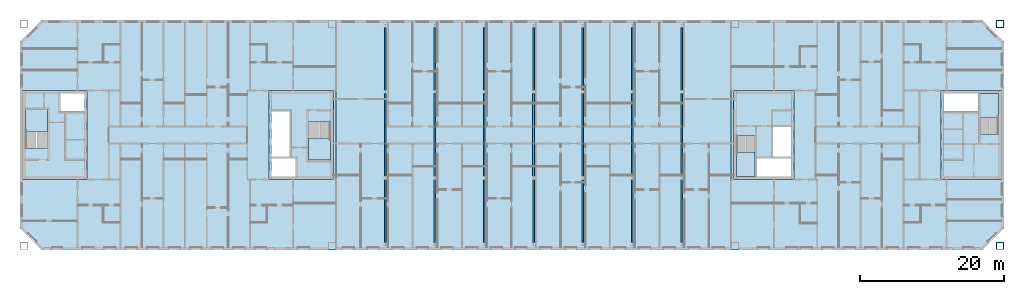
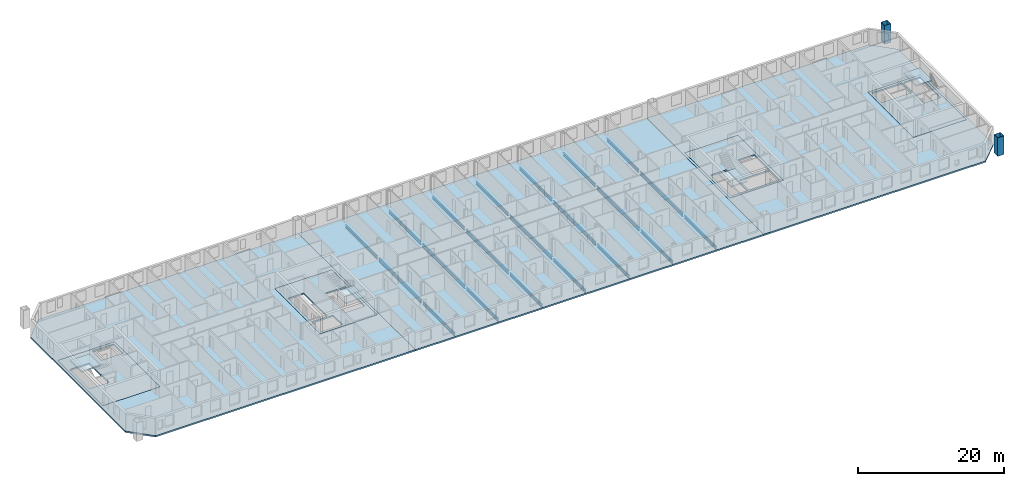
# One storey, part 3 of 19: 21 beams, 11 slabs, 2 columns, 4 elements without a shape of their own.
"""IFC4 building model written with IfcOpenShell, lengths in metres."""

from ifc_helpers import new_model, si_unit, direction, frame, origin, origin_2d, place, context, subcontext, project, spatial, polyline, hollow_rectangle, i_section, outline, extrude, material, layer, layer_set, material_profile, profile_set, type_object, element, aggregate, save


model = new_model("IFC4")

# Units and contexts
model_context = context("Model", 3, precision=1e-05, world=origin(), true_north=direction((0.0, 1.0)))
body_context = subcontext(model_context, "Body", "Model", "MODEL_VIEW")
ifc_project = project(units=[si_unit("LENGTHUNIT", "METRE"), si_unit("AREAUNIT", "SQUARE_METRE"), si_unit("VOLUMEUNIT", "CUBIC_METRE"), si_unit("PLANEANGLEUNIT", "RADIAN"), si_unit("MASSUNIT", "GRAM", prefix="KILO")], contexts=[model_context])

# Site, building, storey
site_placement = place(None, origin())
site = spatial("IfcSite", under=ifc_project, at=site_placement, CompositionType="ELEMENT")
building_placement = place(site_placement, origin())
building = spatial("IfcBuilding", under=site, at=building_placement, Name="Tuart Gate Housing", CompositionType="ELEMENT")
storey_placement = place(building_placement, frame((0.0, 0.0, 212.10009765625)))
storey = spatial("IfcBuildingStorey", under=building, at=storey_placement, Name="L60", CompositionType="ELEMENT", Elevation=212.10009765625)

# Columns
ifc_material_1 = material(Name="Steel Grade 350", Category="steel")
ifc_material_profile_1 = material_profile(ifc_material_1, hollow_rectangle(XDim=1.0, YDim=1.0, WallThickness=0.054931640625, at=origin_2d()), Name="BOX 1000x1000x55")
ifc_profile_set_1 = profile_set([ifc_material_profile_1], Name="Steel Grade 350")
column_type = type_object("IfcColumnType", Name="Mega column BOX 1000x1000x55", PredefinedType="COLUMN", material=ifc_profile_set_1)
for number, where, z_axis, x_axis, name in (
    (1, (168.449951171875, 54.550048828125, 0.0), (0.0, 0.0, 1.0), (1.0, 0.0, 0.0), "Mega column B south-east L60"),
    (2, (168.449951171875, 85.449951171875, 0.0), (0.0, 0.0, 1.0), (1.0, 0.0, 0.0), "Mega column B north-east L60"),
):
    element("IfcColumn", number, at=place(storey_placement, frame(where, z_axis=z_axis, x_axis=x_axis)), inside=storey, type_object=column_type, Name=name, PredefinedType="COLUMN", context=body_context, shape_type="SweptSolid", body=[
        extrude(hollow_rectangle(XDim=1.0, YDim=1.0, WallThickness=0.054931640625, at=origin_2d()), origin(), (0.0, 0.0, 1.0), 3.099853515625),
    ])

# Beams
ifc_material_2 = material(Name="Steel Grade 350", Category="steel")
ifc_material_profile_2 = material_profile(ifc_material_2, i_section(OverallWidth=0.208984375, OverallDepth=0.532958984375, WebThickness=0.01025390625, FlangeThickness=0.015625, at=origin_2d()), Name="530UB92.4")
ifc_profile_set_2 = profile_set([ifc_material_profile_2], Name="Steel Grade 350")
beam_type_1 = type_object("IfcBeamType", Name="Floor beam 530 UB92.4", PredefinedType="BEAM", material=ifc_profile_set_2)
for number, where, z_axis, x_axis, name in (
    (3, (82.875, 55.014892578125, -0.51611328125), (0.0, 1.0, 0.0), (-1.0, 0.0, 0.0), "Block floor beam L60 bay 1 position 1"),
    (4, (82.875, 76.215087890625, -0.51611328125), (0.0, 1.0, 0.0), (-1.0, 0.0, 0.0), "Block floor beam L60 bay 1 position 3"),
    (5, (89.75, 55.014892578125, -0.51611328125), (0.0, 1.0, 0.0), (-1.0, 0.0, 0.0), "Block floor beam L60 bay 2 position 1"),
    (6, (89.75, 76.215087890625, -0.51611328125), (0.0, 1.0, 0.0), (-1.0, 0.0, 0.0), "Block floor beam L60 bay 2 position 3"),
    (7, (96.625, 55.014892578125, -0.51611328125), (0.0, 1.0, 0.0), (-1.0, 0.0, 0.0), "Block floor beam L60 bay 3 position 1"),
    (8, (96.625, 76.215087890625, -0.51611328125), (0.0, 1.0, 0.0), (-1.0, 0.0, 0.0), "Block floor beam L60 bay 3 position 3"),
    (9, (103.5, 55.014892578125, -0.51611328125), (0.0, 1.0, 0.0), (-1.0, 0.0, 0.0), "Block floor beam L60 bay 4 position 1"),
    (10, (103.5, 76.215087890625, -0.51611328125), (0.0, 1.0, 0.0), (-1.0, 0.0, 0.0), "Block floor beam L60 bay 4 position 3"),
    (11, (110.375, 55.014892578125, -0.51611328125), (0.0, 1.0, 0.0), (-1.0, 0.0, 0.0), "Block floor beam L60 bay 5 position 1"),
    (12, (110.375, 76.215087890625, -0.51611328125), (0.0, 1.0, 0.0), (-1.0, 0.0, 0.0), "Block floor beam L60 bay 5 position 3"),
    (13, (117.25, 55.014892578125, -0.51611328125), (0.0, 1.0, 0.0), (-1.0, 0.0, 0.0), "Block floor beam L60 bay 6 position 1"),
    (14, (117.25, 76.215087890625, -0.51611328125), (0.0, 1.0, 0.0), (-1.0, 0.0, 0.0), "Block floor beam L60 bay 6 position 3"),
    (15, (124.125, 55.014892578125, -0.51611328125), (0.0, 1.0, 0.0), (-1.0, 0.0, 0.0), "Block floor beam L60 bay 7 position 1"),
    (16, (124.125, 76.215087890625, -0.51611328125), (0.0, 1.0, 0.0), (-1.0, 0.0, 0.0), "Block floor beam L60 bay 7 position 3"),
):
    element("IfcBeam", number, at=place(storey_placement, frame(where, z_axis=z_axis, x_axis=x_axis)), inside=storey, type_object=beam_type_1, Name=name, PredefinedType="BEAM", context=body_context, shape_type="SweptSolid", body=[
        extrude(i_section(OverallWidth=0.208984375, OverallDepth=0.532958984375, WebThickness=0.01025390625, FlangeThickness=0.015625, at=origin_2d()), origin(), (0.0, 0.0, 1.0), 8.77001953125),
    ])
ifc_material_3 = material(Name="Steel Grade 350", Category="steel")
ifc_material_profile_3 = material_profile(ifc_material_3, i_section(OverallWidth=0.22900390625, OverallDepth=0.612060546875, WebThickness=0.011962890625, FlangeThickness=0.01953125, at=origin_2d()), Name="610UB125")
ifc_profile_set_3 = profile_set([ifc_material_profile_3], Name="Steel Grade 350")
beam_type_2 = type_object("IfcBeamType", Name="Floor beam 610 UB125", PredefinedType="BEAM", material=ifc_profile_set_3)
for number, where, z_axis, x_axis, name in (
    (17, (82.875, 64.215087890625, -0.55615234375), (0.0, 1.0, 0.0), (-1.0, 0.0, 0.0), "Block floor beam L60 bay 1 position 2"),
    (18, (89.75, 64.215087890625, -0.55615234375), (0.0, 1.0, 0.0), (-1.0, 0.0, 0.0), "Block floor beam L60 bay 2 position 2"),
    (19, (96.625, 64.215087890625, -0.55615234375), (0.0, 1.0, 0.0), (-1.0, 0.0, 0.0), "Block floor beam L60 bay 3 position 2"),
    (20, (103.5, 64.215087890625, -0.55615234375), (0.0, 1.0, 0.0), (-1.0, 0.0, 0.0), "Block floor beam L60 bay 4 position 2"),
    (21, (110.375, 64.215087890625, -0.55615234375), (0.0, 1.0, 0.0), (-1.0, 0.0, 0.0), "Block floor beam L60 bay 5 position 2"),
    (22, (117.25, 64.215087890625, -0.55615234375), (0.0, 1.0, 0.0), (-1.0, 0.0, 0.0), "Block floor beam L60 bay 6 position 2"),
    (23, (124.125, 64.215087890625, -0.55615234375), (0.0, 1.0, 0.0), (-1.0, 0.0, 0.0), "Block floor beam L60 bay 7 position 2"),
):
    element("IfcBeam", number, at=place(storey_placement, frame(where, z_axis=z_axis, x_axis=x_axis)), inside=storey, type_object=beam_type_2, Name=name, PredefinedType="BEAM", context=body_context, shape_type="SweptSolid", body=[
        extrude(i_section(OverallWidth=0.22900390625, OverallDepth=0.612060546875, WebThickness=0.011962890625, FlangeThickness=0.01953125, at=origin_2d()), origin(), (0.0, 0.0, 1.0), 11.56982421875),
    ])

# Slabs
ifc_material_4 = material(Name="Concrete C40", Category="concrete")
ifc_layer_1 = layer(ifc_material_4, 0.25)
ifc_layer_set_1 = layer_set([ifc_layer_1], Name="Core floor slab 250")
slab_type_1 = type_object("IfcSlabType", Name="Core floor slab 250", PredefinedType="FLOOR", material=ifc_layer_set_1)
slab_1_placement = place(storey_placement, frame((0.0, 0.0, -0.25)))
element("IfcSlab", 24, at=slab_1_placement, inside=storey, type_object=slab_type_1, Name="Core floor AG", PredefinedType="FLOOR", context=body_context, shape_type="SweptSolid", body=[
    extrude(outline(polyline([(66.639892578125, 63.800048828125), (75.639892578125, 63.800048828125), (75.639892578125, 76.199951171875), (66.639892578125, 76.199951171875), (66.639892578125, 63.800048828125)]), holes=[polyline([(67.0400390625, 64.199951171875), (70.385009765625, 64.199951171875), (70.385009765625, 66.72509765625), (67.0400390625, 66.72509765625), (67.0400390625, 64.199951171875)]), polyline([(67.0400390625, 66.97509765625), (69.56494140625, 66.97509765625), (69.56494140625, 73.324951171875), (67.0400390625, 73.324951171875), (67.0400390625, 66.97509765625)]), polyline([(72.1650390625, 66.47509765625), (75.239990234375, 66.47509765625), (75.239990234375, 71.804931640625), (72.1650390625, 71.804931640625), (72.1650390625, 66.47509765625)])]), origin(), (0.0, 0.0, 1.0), 0.25),
])
slab_2_placement = place(storey_placement, frame((0.0, 0.0, -0.25)))
element("IfcSlab", 25, at=slab_2_placement, inside=storey, type_object=slab_type_1, Name="Core floor AK", PredefinedType="FLOOR", context=body_context, shape_type="SweptSolid", body=[
    extrude(outline(polyline([(32.360107421875, 63.800048828125), (41.360107421875, 63.800048828125), (41.360107421875, 76.199951171875), (32.360107421875, 76.199951171875), (32.360107421875, 63.800048828125)]), holes=[polyline([(40.9599609375, 75.800048828125), (37.614990234375, 75.800048828125), (37.614990234375, 73.27490234375), (40.9599609375, 73.27490234375), (40.9599609375, 75.800048828125)]), polyline([(35.8349609375, 73.52490234375), (32.760009765625, 73.52490234375), (32.760009765625, 68.195068359375), (35.8349609375, 68.195068359375), (35.8349609375, 73.52490234375)])]), origin(), (0.0, 0.0, 1.0), 0.25),
])
slab_3_placement = place(storey_placement, frame((0.0, 0.0, -0.25)))
element("IfcSlab", 26, at=slab_3_placement, inside=storey, type_object=slab_type_1, Name="Core floor BG", PredefinedType="FLOOR", context=body_context, shape_type="SweptSolid", body=[
    extrude(outline(polyline([(131.360107421875, 63.800048828125), (139.760009765625, 63.800048828125), (139.760009765625, 76.199951171875), (131.360107421875, 76.199951171875), (131.360107421875, 63.800048828125)]), holes=[polyline([(139.360107421875, 66.85009765625), (134.5849609375, 66.85009765625), (134.5849609375, 64.199951171875), (139.360107421875, 64.199951171875), (139.360107421875, 66.85009765625)]), polyline([(139.360107421875, 71.125), (136.8349609375, 71.125), (136.8349609375, 66.97509765625), (139.360107421875, 66.97509765625), (139.360107421875, 71.125)]), polyline([(134.3349609375, 69.85498046875), (131.760009765625, 69.85498046875), (131.760009765625, 64.199951171875), (134.3349609375, 64.199951171875), (134.3349609375, 69.85498046875)])]), origin(), (0.0, 0.0, 1.0), 0.25),
])
slab_4_placement = place(storey_placement, frame((0.0, 0.0, -0.25)))
element("IfcSlab", 27, at=slab_4_placement, inside=storey, type_object=slab_type_1, Name="Core floor BK", PredefinedType="FLOOR", context=body_context, shape_type="SweptSolid", body=[
    extrude(outline(polyline([(160.239990234375, 63.800048828125), (168.639892578125, 63.800048828125), (168.639892578125, 76.199951171875), (160.239990234375, 76.199951171875), (160.239990234375, 63.800048828125)]), holes=[polyline([(160.639892578125, 73.14990234375), (165.4150390625, 73.14990234375), (165.4150390625, 75.800048828125), (160.639892578125, 75.800048828125), (160.639892578125, 73.14990234375)]), polyline([(165.6650390625, 70.14501953125), (168.239990234375, 70.14501953125), (168.239990234375, 75.800048828125), (165.6650390625, 75.800048828125), (165.6650390625, 70.14501953125)])]), origin(), (0.0, 0.0, 1.0), 0.25),
])
ifc_material_5 = material(Name="Concrete C40", Category="concrete")
ifc_layer_2 = layer(ifc_material_5, 0.25)
ifc_layer_set_2 = layer_set([ifc_layer_2], Name="Flat plate 250")
slab_type_2 = type_object("IfcSlabType", Name="Flat plate 250", PredefinedType="FLOOR", material=ifc_layer_set_2)
slab_5_placement = place(storey_placement, frame((0.0, 0.0, -0.25)))
element("IfcSlab", 28, at=slab_5_placement, inside=storey, type_object=slab_type_2, Name="Floor slab A L60", PredefinedType="FLOOR", context=body_context, shape_type="SweptSolid", body=[
    extrude(outline(polyline([(35.0, 86.0), (32.0, 83.0), (32.0, 57.0), (35.0, 54.0), (76.0, 54.0), (76.0, 86.0), (35.0, 86.0)]), holes=[polyline([(66.639892578125, 76.199951171875), (75.639892578125, 76.199951171875), (75.639892578125, 63.800048828125), (66.639892578125, 63.800048828125), (66.639892578125, 76.199951171875)]), polyline([(41.360107421875, 76.199951171875), (41.360107421875, 63.800048828125), (32.360107421875, 63.800048828125), (32.360107421875, 76.199951171875), (41.360107421875, 76.199951171875)])]), origin(), (0.0, 0.0, 1.0), 0.25),
])
slab_6_placement = place(storey_placement, frame((0.0, 0.0, -0.25)))
element("IfcSlab", 29, at=slab_6_placement, inside=storey, type_object=slab_type_2, Name="Floor slab B L60", PredefinedType="FLOOR", context=body_context, shape_type="SweptSolid", body=[
    extrude(outline(polyline([(166.0, 86.0), (131.0, 86.0), (131.0, 54.0), (166.0, 54.0), (169.0, 57.0), (169.0, 83.0), (166.0, 86.0)]), holes=[polyline([(131.360107421875, 76.199951171875), (139.760009765625, 76.199951171875), (139.760009765625, 63.800048828125), (131.360107421875, 63.800048828125), (131.360107421875, 76.199951171875)]), polyline([(168.639892578125, 76.199951171875), (168.639892578125, 63.800048828125), (160.239990234375, 63.800048828125), (160.239990234375, 76.199951171875), (168.639892578125, 76.199951171875)])]), origin(), (0.0, 0.0, 1.0), 0.25),
])
slab_7_placement = place(storey_placement, frame((0.0, 0.0, -0.25)))
element("IfcSlab", 30, at=slab_7_placement, inside=storey, type_object=slab_type_2, Name="Link floor slab L60", PredefinedType="FLOOR", context=body_context, shape_type="SweptSolid", body=[
    extrude(outline(polyline([(76.0, 54.0), (131.0, 54.0), (131.0, 86.0), (76.0, 86.0), (76.0, 54.0)])), origin(), (0.0, 0.0, 1.0), 0.25),
])

# Stair, slab
ifc_material_6 = material(Name="Concrete C40", Category="concrete")
stair_type_1 = type_object("IfcStairType", Name="Core stair 1500", PredefinedType="HALF_TURN_STAIR", material=ifc_material_6)
stair_1_placement = place(storey_placement, origin())
stair_1 = element("IfcStair", 31, at=stair_1_placement, inside=storey, type_object=stair_type_1, Name="Stair SA1", PredefinedType="HALF_TURN_STAIR")
ifc_material_7 = material(Name="Concrete C40", Category="concrete")
ifc_layer_3 = layer(ifc_material_7, 0.199951171875)
ifc_layer_set_3 = layer_set([ifc_layer_3], Name="Stair landing 200")
slab_type_3 = type_object("IfcSlabType", Name="Stair landing 200", PredefinedType="LANDING", material=ifc_layer_set_3)
slab_8_placement = place(storey_placement, frame((0.0, 0.0, 1.349853515625)))
slab_8 = element("IfcSlab", 32, at=slab_8_placement, type_object=slab_type_3, Name="SA1 landing 1", PredefinedType="LANDING", context=body_context, shape_type="SweptSolid", body=[
    extrude(outline(polyline([(72.1650390625, 66.47509765625), (75.239990234375, 66.47509765625), (75.239990234375, 69.5849609375), (72.1650390625, 69.5849609375), (72.1650390625, 66.47509765625)])), origin(), (0.0, 0.0, 1.0), 0.199951171875),
])
aggregate(stair_1, [slab_8])

stair_2_placement = place(storey_placement, origin())
stair_2 = element("IfcStair", 33, at=stair_2_placement, inside=storey, type_object=stair_type_1, Name="Stair SA2", PredefinedType="HALF_TURN_STAIR")
slab_9_placement = place(storey_placement, frame((0.0, 0.0, 1.349853515625)))
slab_9 = element("IfcSlab", 34, at=slab_9_placement, type_object=slab_type_3, Name="SA2 landing 1", PredefinedType="LANDING", context=body_context, shape_type="SweptSolid", body=[
    extrude(outline(polyline([(35.8349609375, 73.52490234375), (32.760009765625, 73.52490234375), (32.760009765625, 70.4150390625), (35.8349609375, 70.4150390625), (35.8349609375, 73.52490234375)])), origin(), (0.0, 0.0, 1.0), 0.199951171875),
])
aggregate(stair_2, [slab_9])

ifc_material_8 = material(Name="Concrete C40", Category="concrete")
stair_type_2 = type_object("IfcStairType", Name="Core stair 1250", PredefinedType="HALF_TURN_STAIR", material=ifc_material_8)
stair_3_placement = place(storey_placement, origin())
stair_3 = element("IfcStair", 35, at=stair_3_placement, inside=storey, type_object=stair_type_2, Name="Stair SB1", PredefinedType="HALF_TURN_STAIR")
slab_10_placement = place(storey_placement, frame((0.0, 0.0, 1.349853515625)))
slab_10 = element("IfcSlab", 36, at=slab_10_placement, type_object=slab_type_3, Name="SB1 landing 1", PredefinedType="LANDING", context=body_context, shape_type="SweptSolid", body=[
    extrude(outline(polyline([(134.3349609375, 67.635009765625), (131.760009765625, 67.635009765625), (131.760009765625, 64.199951171875), (134.3349609375, 64.199951171875), (134.3349609375, 67.635009765625)])), origin(), (0.0, 0.0, 1.0), 0.199951171875),
])
aggregate(stair_3, [slab_10])

stair_4_placement = place(storey_placement, origin())
stair_4 = element("IfcStair", 37, at=stair_4_placement, inside=storey, type_object=stair_type_2, Name="Stair SB2", PredefinedType="HALF_TURN_STAIR")
slab_11_placement = place(storey_placement, frame((0.0, 0.0, 1.349853515625)))
slab_11 = element("IfcSlab", 38, at=slab_11_placement, type_object=slab_type_3, Name="SB2 landing 1", PredefinedType="LANDING", context=body_context, shape_type="SweptSolid", body=[
    extrude(outline(polyline([(165.6650390625, 72.364990234375), (168.239990234375, 72.364990234375), (168.239990234375, 75.800048828125), (165.6650390625, 75.800048828125), (165.6650390625, 72.364990234375)])), origin(), (0.0, 0.0, 1.0), 0.199951171875),
])
aggregate(stair_4, [slab_11])

save(model, "model.ifc")
